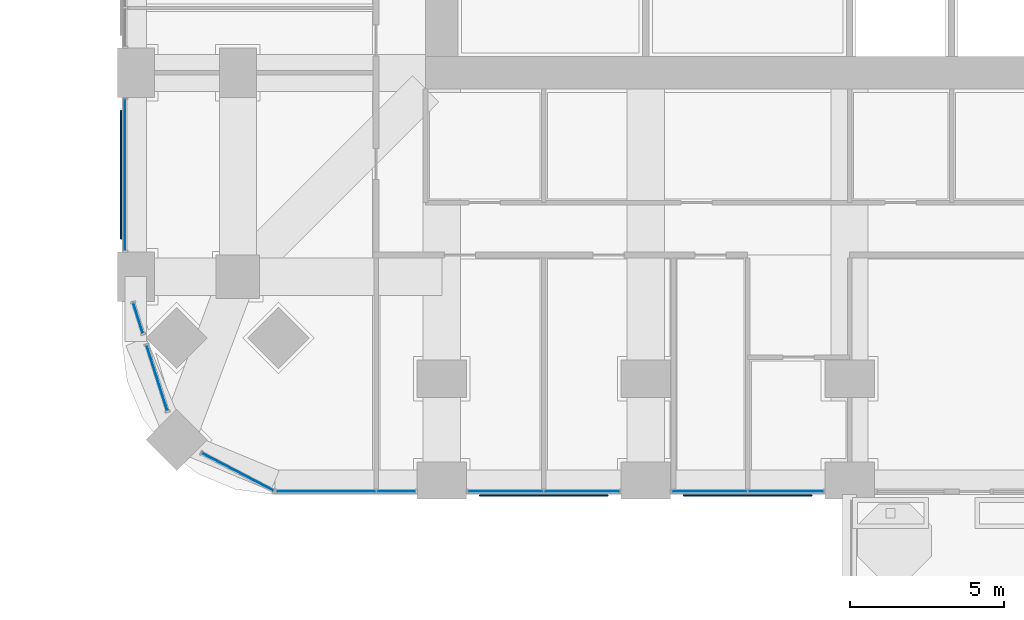
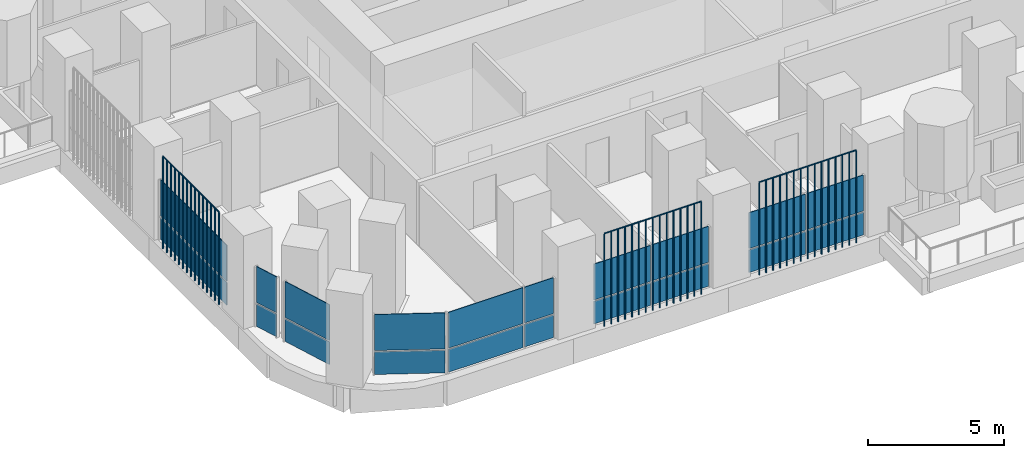
# One storey, part 9 of 21: 23 plates, 7 elements without a shape of their own.
"""IFC4 building model written with IfcOpenShell, lengths in metres."""

from ifc_helpers import new_model, si_unit, direction, frame, origin, origin_2d, place, context, subcontext, project, spatial, polyline, rectangle, outline, extrude, material, layer, layer_set, type_object, element, aggregate, save


model = new_model("IFC4")

# Units and contexts
model_context = context("Model", 3, precision=1e-05, world=origin(), true_north=direction((0.0, 1.0)))
body_context = subcontext(model_context, "Body", "Model", "MODEL_VIEW")
ifc_project = project(units=[si_unit("LENGTHUNIT", "METRE"), si_unit("AREAUNIT", "SQUARE_METRE"), si_unit("VOLUMEUNIT", "CUBIC_METRE"), si_unit("PLANEANGLEUNIT", "RADIAN"), si_unit("MASSUNIT", "GRAM", prefix="KILO")], contexts=[model_context])

# Site, building, storey
site_placement = place(None, origin())
site = spatial("IfcSite", under=ifc_project, at=site_placement, CompositionType="ELEMENT")
building_placement = place(site_placement, origin())
building = spatial("IfcBuilding", under=site, at=building_placement, Name="Cobogo Forest Laboratory Tower", CompositionType="ELEMENT")
storey_placement = place(building_placement, frame((0.0, 0.0, 86.39990234375)))
storey = spatial("IfcBuildingStorey", under=building, at=storey_placement, Name="L19", CompositionType="ELEMENT", Elevation=86.39990234375)

# Curtain wall, plates
ifc_material_1 = material(Name="Aluminium curtain wall", Category="aluminium")
curtain_wall_type = type_object("IfcCurtainWallType", Name="CW-1 unitised curtain wall, clear glazing, laboratory floors zones A and B", PredefinedType="USERDEFINED", material=ifc_material_1)
curtain_wall_1_placement = place(storey_placement, origin())
curtain_wall_1 = element("IfcCurtainWall", 1, at=curtain_wall_1_placement, inside=storey, type_object=curtain_wall_type, Name="Curtain wall 01 L19", ObjectType="UNITISED CURTAIN WALL", PredefinedType="USERDEFINED")
ifc_material_2 = material(Name="Clear insulated glass", Category="glass")
ifc_layer = layer(ifc_material_2, 0.028076171875)
ifc_layer_set = layer_set([ifc_layer], Name="GP-1 clear insulated glass unit 28")
plate_type_1 = type_object("IfcPlateType", Name="GP-1 clear insulated glass unit 28", PredefinedType="CURTAIN_PANEL", material=ifc_layer_set)
plate_1_placement = place(storey_placement, frame((9.452392578125, -0.35009765625, 0.0), z_axis=(0.0, 0.0, 1.0), x_axis=(1.0, 0.0, 0.0)))
plate_1 = element("IfcPlate", 2, at=plate_1_placement, type_object=plate_type_1, Name="CW-1 panel 1.1", PredefinedType="CURTAIN_PANEL", context=body_context, shape_type="SweptSolid", body=[
    extrude(rectangle(XDim=3.18505859375, YDim=0.028076171875, at=origin_2d()), origin(), (0.0, 0.0, 1.0), 1.02001953125),
])
plate_2_placement = place(storey_placement, frame((9.452392578125, -0.35009765625, 1.080078125), z_axis=(0.0, 0.0, 1.0), x_axis=(1.0, 0.0, 0.0)))
plate_2 = element("IfcPlate", 3, at=plate_2_placement, type_object=plate_type_1, Name="CW-1 panel 1.2", PredefinedType="CURTAIN_PANEL", context=body_context, shape_type="SweptSolid", body=[
    extrude(rectangle(XDim=3.18505859375, YDim=0.028076171875, at=origin_2d()), origin(), (0.0, 0.0, 1.0), 1.6201171875),
])
plate_3_placement = place(storey_placement, frame((11.722412109375, -0.35009765625, 0.0), z_axis=(0.0, 0.0, 1.0), x_axis=(1.0, 0.0, 0.0)))
plate_3 = element("IfcPlate", 4, at=plate_3_placement, type_object=plate_type_1, Name="CW-1 panel 2.1", PredefinedType="CURTAIN_PANEL", context=body_context, shape_type="SweptSolid", body=[
    extrude(rectangle(XDim=1.235107421875, YDim=0.028076171875, at=origin_2d()), origin(), (0.0, 0.0, 1.0), 1.02001953125),
])
plate_4_placement = place(storey_placement, frame((11.722412109375, -0.35009765625, 1.080078125), z_axis=(0.0, 0.0, 1.0), x_axis=(1.0, 0.0, 0.0)))
plate_4 = element("IfcPlate", 5, at=plate_4_placement, type_object=plate_type_1, Name="CW-1 panel 2.2", PredefinedType="CURTAIN_PANEL", context=body_context, shape_type="SweptSolid", body=[
    extrude(rectangle(XDim=1.235107421875, YDim=0.028076171875, at=origin_2d()), origin(), (0.0, 0.0, 1.0), 1.6201171875),
])
aggregate(curtain_wall_1, [plate_1, plate_2, plate_3, plate_4])

curtain_wall_2_placement = place(storey_placement, origin())
curtain_wall_2 = element("IfcCurtainWall", 6, at=curtain_wall_2_placement, inside=storey, type_object=curtain_wall_type, Name="Curtain wall 02 L19", ObjectType="UNITISED CURTAIN WALL", PredefinedType="USERDEFINED")
plate_5_placement = place(storey_placement, frame((15.264892578125, -0.35009765625, 0.0), z_axis=(0.0, 0.0, 1.0), x_axis=(1.0, 0.0, 0.0)))
plate_5 = element("IfcPlate", 7, at=plate_5_placement, type_object=plate_type_1, Name="CW-1 panel 1.1", PredefinedType="CURTAIN_PANEL", context=body_context, shape_type="SweptSolid", body=[
    extrude(rectangle(XDim=2.409912109375, YDim=0.028076171875, at=origin_2d()), origin(), (0.0, 0.0, 1.0), 1.02001953125),
])
plate_6_placement = place(storey_placement, frame((15.264892578125, -0.35009765625, 1.080078125), z_axis=(0.0, 0.0, 1.0), x_axis=(1.0, 0.0, 0.0)))
plate_6 = element("IfcPlate", 8, at=plate_6_placement, type_object=plate_type_1, Name="CW-1 panel 1.2", PredefinedType="CURTAIN_PANEL", context=body_context, shape_type="SweptSolid", body=[
    extrude(rectangle(XDim=2.409912109375, YDim=0.028076171875, at=origin_2d()), origin(), (0.0, 0.0, 1.0), 1.6201171875),
])
plate_7_placement = place(storey_placement, frame((17.735107421875, -0.35009765625, 0.0), z_axis=(0.0, 0.0, 1.0), x_axis=(1.0, 0.0, 0.0)))
plate_7 = element("IfcPlate", 9, at=plate_7_placement, type_object=plate_type_1, Name="CW-1 panel 2.1", PredefinedType="CURTAIN_PANEL", context=body_context, shape_type="SweptSolid", body=[
    extrude(rectangle(XDim=2.409912109375, YDim=0.028076171875, at=origin_2d()), origin(), (0.0, 0.0, 1.0), 1.02001953125),
])
plate_8_placement = place(storey_placement, frame((17.735107421875, -0.35009765625, 1.080078125), z_axis=(0.0, 0.0, 1.0), x_axis=(1.0, 0.0, 0.0)))
plate_8 = element("IfcPlate", 10, at=plate_8_placement, type_object=plate_type_1, Name="CW-1 panel 2.2", PredefinedType="CURTAIN_PANEL", context=body_context, shape_type="SweptSolid", body=[
    extrude(rectangle(XDim=2.409912109375, YDim=0.028076171875, at=origin_2d()), origin(), (0.0, 0.0, 1.0), 1.6201171875),
])
aggregate(curtain_wall_2, [plate_5, plate_6, plate_7, plate_8])

curtain_wall_3_placement = place(storey_placement, origin())
curtain_wall_3 = element("IfcCurtainWall", 11, at=curtain_wall_3_placement, inside=storey, type_object=curtain_wall_type, Name="Curtain wall 03 L19", ObjectType="UNITISED CURTAIN WALL", PredefinedType="USERDEFINED")
plate_9_placement = place(storey_placement, frame((21.864990234375, -0.35009765625, 0.0), z_axis=(0.0, 0.0, 1.0), x_axis=(1.0, 0.0, 0.0)))
plate_9 = element("IfcPlate", 12, at=plate_9_placement, type_object=plate_type_1, Name="CW-1 panel 1.1", PredefinedType="CURTAIN_PANEL", context=body_context, shape_type="SweptSolid", body=[
    extrude(rectangle(XDim=2.409912109375, YDim=0.028076171875, at=origin_2d()), origin(), (0.0, 0.0, 1.0), 1.02001953125),
])
plate_10_placement = place(storey_placement, frame((21.864990234375, -0.35009765625, 1.080078125), z_axis=(0.0, 0.0, 1.0), x_axis=(1.0, 0.0, 0.0)))
plate_10 = element("IfcPlate", 13, at=plate_10_placement, type_object=plate_type_1, Name="CW-1 panel 1.2", PredefinedType="CURTAIN_PANEL", context=body_context, shape_type="SweptSolid", body=[
    extrude(rectangle(XDim=2.409912109375, YDim=0.028076171875, at=origin_2d()), origin(), (0.0, 0.0, 1.0), 1.6201171875),
])
plate_11_placement = place(storey_placement, frame((24.3349609375, -0.35009765625, 0.0), z_axis=(0.0, 0.0, 1.0), x_axis=(1.0, 0.0, 0.0)))
plate_11 = element("IfcPlate", 14, at=plate_11_placement, type_object=plate_type_1, Name="CW-1 panel 2.1", PredefinedType="CURTAIN_PANEL", context=body_context, shape_type="SweptSolid", body=[
    extrude(rectangle(XDim=2.409912109375, YDim=0.028076171875, at=origin_2d()), origin(), (0.0, 0.0, 1.0), 1.02001953125),
])
plate_12_placement = place(storey_placement, frame((24.3349609375, -0.35009765625, 1.080078125), z_axis=(0.0, 0.0, 1.0), x_axis=(1.0, 0.0, 0.0)))
plate_12 = element("IfcPlate", 15, at=plate_12_placement, type_object=plate_type_1, Name="CW-1 panel 2.2", PredefinedType="CURTAIN_PANEL", context=body_context, shape_type="SweptSolid", body=[
    extrude(rectangle(XDim=2.409912109375, YDim=0.028076171875, at=origin_2d()), origin(), (0.0, 0.0, 1.0), 1.6201171875),
])
aggregate(curtain_wall_3, [plate_9, plate_10, plate_11, plate_12])

curtain_wall_4_placement = place(storey_placement, origin())
curtain_wall_4 = element("IfcCurtainWall", 16, at=curtain_wall_4_placement, inside=storey, type_object=curtain_wall_type, Name="Curtain wall 31 L19", ObjectType="UNITISED CURTAIN WALL", PredefinedType="USERDEFINED")
plate_13_placement = place(storey_placement, frame((2.949951171875, 9.89990234375, 0.0), z_axis=(0.0, 0.0, 1.0), x_axis=(0.0, -1.0, 0.0)))
plate_13 = element("IfcPlate", 17, at=plate_13_placement, type_object=plate_type_1, Name="CW-1 panel 1.1", PredefinedType="CURTAIN_PANEL", context=body_context, shape_type="SweptSolid", body=[
    extrude(rectangle(XDim=4.8798828125, YDim=0.028076171875, at=origin_2d()), origin(), (0.0, 0.0, 1.0), 1.02001953125),
])
plate_14_placement = place(storey_placement, frame((2.949951171875, 9.89990234375, 1.080078125), z_axis=(0.0, 0.0, 1.0), x_axis=(0.0, -1.0, 0.0)))
plate_14 = element("IfcPlate", 18, at=plate_14_placement, type_object=plate_type_1, Name="CW-1 panel 1.2", PredefinedType="CURTAIN_PANEL", context=body_context, shape_type="SweptSolid", body=[
    extrude(rectangle(XDim=4.8798828125, YDim=0.028076171875, at=origin_2d()), origin(), (0.0, 0.0, 1.0), 1.6201171875),
])
aggregate(curtain_wall_4, [plate_13, plate_14])

curtain_wall_5_placement = place(storey_placement, origin())
curtain_wall_5 = element("IfcCurtainWall", 19, at=curtain_wall_5_placement, inside=storey, type_object=curtain_wall_type, Name="Curtain wall 32 L19", ObjectType="UNITISED CURTAIN WALL", PredefinedType="USERDEFINED")
plate_15_placement = place(storey_placement, frame((3.37353515625, 5.259033203125, 0.0), z_axis=(0.0, 0.0, 1.0), x_axis=(0.3011355018, -0.953581359694, 0.0)))
plate_15 = element("IfcPlate", 20, at=plate_15_placement, type_object=plate_type_1, Name="CW-1 panel 1.1", PredefinedType="CURTAIN_PANEL", context=body_context, shape_type="SweptSolid", body=[
    extrude(rectangle(XDim=1.0146484375, YDim=0.028076171875, at=origin_2d()), origin(), (0.0, 0.0, 1.0), 1.02001953125),
])
plate_16_placement = place(storey_placement, frame((3.37353515625, 5.259033203125, 1.080078125), z_axis=(0.0, 0.0, 1.0), x_axis=(0.3011355018, -0.953581359694, 0.0)))
plate_16 = element("IfcPlate", 21, at=plate_16_placement, type_object=plate_type_1, Name="CW-1 panel 1.2", PredefinedType="CURTAIN_PANEL", context=body_context, shape_type="SweptSolid", body=[
    extrude(rectangle(XDim=1.0146484375, YDim=0.028076171875, at=origin_2d()), origin(), (0.0, 0.0, 1.0), 1.6201171875),
])
aggregate(curtain_wall_5, [plate_15, plate_16])

curtain_wall_6_placement = place(storey_placement, origin())
curtain_wall_6 = element("IfcCurtainWall", 22, at=curtain_wall_6_placement, inside=storey, type_object=curtain_wall_type, Name="Curtain wall 33 L19", ObjectType="UNITISED CURTAIN WALL", PredefinedType="USERDEFINED")
plate_17_placement = place(storey_placement, frame((3.986572265625, 3.31787109375, 0.0), z_axis=(0.0, 0.0, 1.0), x_axis=(0.301135343623, -0.953581409645, 0.0)))
plate_17 = element("IfcPlate", 23, at=plate_17_placement, type_object=plate_type_1, Name="CW-1 panel 1.1", PredefinedType="CURTAIN_PANEL", context=body_context, shape_type="SweptSolid", body=[
    extrude(rectangle(XDim=2.203369140625, YDim=0.028076171875, at=origin_2d()), origin(), (0.0, 0.0, 1.0), 1.02001953125),
])
plate_18_placement = place(storey_placement, frame((3.986572265625, 3.31787109375, 1.080078125), z_axis=(0.0, 0.0, 1.0), x_axis=(0.301135343623, -0.953581409645, 0.0)))
plate_18 = element("IfcPlate", 24, at=plate_18_placement, type_object=plate_type_1, Name="CW-1 panel 1.2", PredefinedType="CURTAIN_PANEL", context=body_context, shape_type="SweptSolid", body=[
    extrude(rectangle(XDim=2.203369140625, YDim=0.028076171875, at=origin_2d()), origin(), (0.0, 0.0, 1.0), 1.6201171875),
])
aggregate(curtain_wall_6, [plate_17, plate_18])

curtain_wall_7_placement = place(storey_placement, origin())
curtain_wall_7 = element("IfcCurtainWall", 25, at=curtain_wall_7_placement, inside=storey, type_object=curtain_wall_type, Name="Curtain wall 34 L19", ObjectType="UNITISED CURTAIN WALL", PredefinedType="USERDEFINED")
plate_19_placement = place(storey_placement, frame((6.593994140625, 0.2822265625, 0.0), z_axis=(0.0, 0.0, 1.0), x_axis=(0.885686540666, -0.464283697413, 0.0)))
plate_19 = element("IfcPlate", 26, at=plate_19_placement, type_object=plate_type_1, Name="CW-1 panel 1.1", PredefinedType="CURTAIN_PANEL", context=body_context, shape_type="SweptSolid", body=[
    extrude(rectangle(XDim=2.603271484375, YDim=0.028076171875, at=origin_2d()), origin(), (0.0, 0.0, 1.0), 1.02001953125),
])
plate_20_placement = place(storey_placement, frame((6.593994140625, 0.2822265625, 1.080078125), z_axis=(0.0, 0.0, 1.0), x_axis=(0.885686540666, -0.464283697413, 0.0)))
plate_20 = element("IfcPlate", 27, at=plate_20_placement, type_object=plate_type_1, Name="CW-1 panel 1.2", PredefinedType="CURTAIN_PANEL", context=body_context, shape_type="SweptSolid", body=[
    extrude(rectangle(XDim=2.603271484375, YDim=0.028076171875, at=origin_2d()), origin(), (0.0, 0.0, 1.0), 1.6201171875),
])
aggregate(curtain_wall_7, [plate_19, plate_20])

# Plates
ifc_material_3 = material(Name="Terracotta", Category="masonry")
plate_type_2 = type_object("IfcPlateType", Name="TB1 terracotta baguette screen", PredefinedType="USERDEFINED", material=ifc_material_3)
plate_21_placement = place(storey_placement, frame((14.43115234375, -0.477783203125, -0.14990234375)))
element("IfcPlate", 28, at=plate_21_placement, inside=storey, type_object=plate_type_2, Name="Baguette screen S1 L19", ObjectType="BAGUETTE SCREEN", PredefinedType="USERDEFINED", context=body_context, shape_type="SweptSolid", body=[
    extrude(outline(polyline([(0.02880859375, 0.011962890625), (0.011962890625, 0.02880859375), (-0.011962890625, 0.02880859375), (-0.02880859375, 0.011962890625), (-0.02880859375, -0.011962890625), (-0.011962890625, -0.02880859375), (0.011962890625, -0.02880859375), (0.02880859375, -0.011962890625), (0.02880859375, 0.011962890625)])), frame((0.0, 0.0, 4.168701171875), z_axis=(1.0, 0.0, 0.0), x_axis=(0.0, 1.0, 0.0)), (0.0, 0.0, 1.0), 4.1376953125),
    extrude(outline(polyline([(0.02880859375, 0.011962890625), (0.011962890625, 0.02880859375), (-0.011962890625, 0.02880859375), (-0.02880859375, 0.011962890625), (-0.02880859375, -0.011962890625), (-0.011962890625, -0.02880859375), (0.011962890625, -0.02880859375), (0.02880859375, -0.011962890625), (0.02880859375, 0.011962890625)])), origin(), (0.0, 0.0, 1.0), 4.137451171875),
    extrude(outline(polyline([(0.02880859375, 0.011962890625), (0.011962890625, 0.02880859375), (-0.011962890625, 0.02880859375), (-0.02880859375, 0.011962890625), (-0.02880859375, -0.011962890625), (-0.011962890625, -0.02880859375), (0.011962890625, -0.02880859375), (0.02880859375, -0.011962890625), (0.02880859375, 0.011962890625)])), frame((0.295654296875, 0.0, 0.0)), (0.0, 0.0, 1.0), 4.137451171875),
    extrude(outline(polyline([(0.02880859375, 0.011962890625), (0.011962890625, 0.02880859375), (-0.011962890625, 0.02880859375), (-0.02880859375, 0.011962890625), (-0.02880859375, -0.011962890625), (-0.011962890625, -0.02880859375), (0.011962890625, -0.02880859375), (0.02880859375, -0.011962890625), (0.02880859375, 0.011962890625)])), frame((0.591064453125, 0.0, 0.0)), (0.0, 0.0, 1.0), 4.137451171875),
    extrude(outline(polyline([(0.02880859375, 0.011962890625), (0.011962890625, 0.02880859375), (-0.011962890625, 0.02880859375), (-0.02880859375, 0.011962890625), (-0.02880859375, -0.011962890625), (-0.011962890625, -0.02880859375), (0.011962890625, -0.02880859375), (0.02880859375, -0.011962890625), (0.02880859375, 0.011962890625)])), frame((0.88671875, 0.0, 0.0)), (0.0, 0.0, 1.0), 4.137451171875),
    extrude(outline(polyline([(0.02880859375, 0.011962890625), (0.011962890625, 0.02880859375), (-0.011962890625, 0.02880859375), (-0.02880859375, 0.011962890625), (-0.02880859375, -0.011962890625), (-0.011962890625, -0.02880859375), (0.011962890625, -0.02880859375), (0.02880859375, -0.011962890625), (0.02880859375, 0.011962890625)])), frame((1.18212890625, 0.0, 0.0)), (0.0, 0.0, 1.0), 4.137451171875),
    extrude(outline(polyline([(0.02880859375, 0.011962890625), (0.011962890625, 0.02880859375), (-0.011962890625, 0.02880859375), (-0.02880859375, 0.011962890625), (-0.02880859375, -0.011962890625), (-0.011962890625, -0.02880859375), (0.011962890625, -0.02880859375), (0.02880859375, -0.011962890625), (0.02880859375, 0.011962890625)])), frame((1.477783203125, 0.0, 0.0)), (0.0, 0.0, 1.0), 4.137451171875),
    extrude(outline(polyline([(0.02880859375, 0.011962890625), (0.011962890625, 0.02880859375), (-0.011962890625, 0.02880859375), (-0.02880859375, 0.011962890625), (-0.02880859375, -0.011962890625), (-0.011962890625, -0.02880859375), (0.011962890625, -0.02880859375), (0.02880859375, -0.011962890625), (0.02880859375, 0.011962890625)])), frame((1.773193359375, 0.0, 0.0)), (0.0, 0.0, 1.0), 4.137451171875),
    extrude(outline(polyline([(0.02880859375, 0.011962890625), (0.011962890625, 0.02880859375), (-0.011962890625, 0.02880859375), (-0.02880859375, 0.011962890625), (-0.02880859375, -0.011962890625), (-0.011962890625, -0.02880859375), (0.011962890625, -0.02880859375), (0.02880859375, -0.011962890625), (0.02880859375, 0.011962890625)])), frame((2.06884765625, 0.0, 0.0)), (0.0, 0.0, 1.0), 4.137451171875),
    extrude(outline(polyline([(0.02880859375, 0.011962890625), (0.011962890625, 0.02880859375), (-0.011962890625, 0.02880859375), (-0.02880859375, 0.011962890625), (-0.02880859375, -0.011962890625), (-0.011962890625, -0.02880859375), (0.011962890625, -0.02880859375), (0.02880859375, -0.011962890625), (0.02880859375, 0.011962890625)])), frame((2.364501953125, 0.0, 0.0)), (0.0, 0.0, 1.0), 4.137451171875),
    extrude(outline(polyline([(0.02880859375, 0.011962890625), (0.011962890625, 0.02880859375), (-0.011962890625, 0.02880859375), (-0.02880859375, 0.011962890625), (-0.02880859375, -0.011962890625), (-0.011962890625, -0.02880859375), (0.011962890625, -0.02880859375), (0.02880859375, -0.011962890625), (0.02880859375, 0.011962890625)])), frame((2.659912109375, 0.0, 0.0)), (0.0, 0.0, 1.0), 4.137451171875),
    extrude(outline(polyline([(0.02880859375, 0.011962890625), (0.011962890625, 0.02880859375), (-0.011962890625, 0.02880859375), (-0.02880859375, 0.011962890625), (-0.02880859375, -0.011962890625), (-0.011962890625, -0.02880859375), (0.011962890625, -0.02880859375), (0.02880859375, -0.011962890625), (0.02880859375, 0.011962890625)])), frame((2.95556640625, 0.0, 0.0)), (0.0, 0.0, 1.0), 4.137451171875),
    extrude(outline(polyline([(0.02880859375, 0.011962890625), (0.011962890625, 0.02880859375), (-0.011962890625, 0.02880859375), (-0.02880859375, 0.011962890625), (-0.02880859375, -0.011962890625), (-0.011962890625, -0.02880859375), (0.011962890625, -0.02880859375), (0.02880859375, -0.011962890625), (0.02880859375, 0.011962890625)])), frame((3.2509765625, 0.0, 0.0)), (0.0, 0.0, 1.0), 4.137451171875),
    extrude(outline(polyline([(0.02880859375, 0.011962890625), (0.011962890625, 0.02880859375), (-0.011962890625, 0.02880859375), (-0.02880859375, 0.011962890625), (-0.02880859375, -0.011962890625), (-0.011962890625, -0.02880859375), (0.011962890625, -0.02880859375), (0.02880859375, -0.011962890625), (0.02880859375, 0.011962890625)])), frame((3.546630859375, 0.0, 0.0)), (0.0, 0.0, 1.0), 4.137451171875),
    extrude(outline(polyline([(0.02880859375, 0.011962890625), (0.011962890625, 0.02880859375), (-0.011962890625, 0.02880859375), (-0.02880859375, 0.011962890625), (-0.02880859375, -0.011962890625), (-0.011962890625, -0.02880859375), (0.011962890625, -0.02880859375), (0.02880859375, -0.011962890625), (0.02880859375, 0.011962890625)])), frame((3.842041015625, 0.0, 0.0)), (0.0, 0.0, 1.0), 4.137451171875),
    extrude(outline(polyline([(0.02880859375, 0.011962890625), (0.011962890625, 0.02880859375), (-0.011962890625, 0.02880859375), (-0.02880859375, 0.011962890625), (-0.02880859375, -0.011962890625), (-0.011962890625, -0.02880859375), (0.011962890625, -0.02880859375), (0.02880859375, -0.011962890625), (0.02880859375, 0.011962890625)])), frame((4.1376953125, 0.0, 0.0)), (0.0, 0.0, 1.0), 4.137451171875),
])
plate_22_placement = place(storey_placement, frame((21.03125, -0.477783203125, -0.14990234375)))
element("IfcPlate", 29, at=plate_22_placement, inside=storey, type_object=plate_type_2, Name="Baguette screen S2 L19", ObjectType="BAGUETTE SCREEN", PredefinedType="USERDEFINED", context=body_context, shape_type="SweptSolid", body=[
    extrude(outline(polyline([(0.02880859375, 0.011962890625), (0.011962890625, 0.02880859375), (-0.011962890625, 0.02880859375), (-0.02880859375, 0.011962890625), (-0.02880859375, -0.011962890625), (-0.011962890625, -0.02880859375), (0.011962890625, -0.02880859375), (0.02880859375, -0.011962890625), (0.02880859375, 0.011962890625)])), frame((0.0, 0.0, 4.168701171875), z_axis=(1.0, 0.0, 0.0), x_axis=(0.0, 1.0, 0.0)), (0.0, 0.0, 1.0), 4.137451171875),
    extrude(outline(polyline([(0.02880859375, 0.011962890625), (0.011962890625, 0.02880859375), (-0.011962890625, 0.02880859375), (-0.02880859375, 0.011962890625), (-0.02880859375, -0.011962890625), (-0.011962890625, -0.02880859375), (0.011962890625, -0.02880859375), (0.02880859375, -0.011962890625), (0.02880859375, 0.011962890625)])), origin(), (0.0, 0.0, 1.0), 4.137451171875),
    extrude(outline(polyline([(0.02880859375, 0.011962890625), (0.011962890625, 0.02880859375), (-0.011962890625, 0.02880859375), (-0.02880859375, 0.011962890625), (-0.02880859375, -0.011962890625), (-0.011962890625, -0.02880859375), (0.011962890625, -0.02880859375), (0.02880859375, -0.011962890625), (0.02880859375, 0.011962890625)])), frame((0.29541015625, 0.0, 0.0)), (0.0, 0.0, 1.0), 4.137451171875),
    extrude(outline(polyline([(0.02880859375, 0.011962890625), (0.011962890625, 0.02880859375), (-0.011962890625, 0.02880859375), (-0.02880859375, 0.011962890625), (-0.02880859375, -0.011962890625), (-0.011962890625, -0.02880859375), (0.011962890625, -0.02880859375), (0.02880859375, -0.011962890625), (0.02880859375, 0.011962890625)])), frame((0.591064453125, 0.0, 0.0)), (0.0, 0.0, 1.0), 4.137451171875),
    extrude(outline(polyline([(0.02880859375, 0.011962890625), (0.011962890625, 0.02880859375), (-0.011962890625, 0.02880859375), (-0.02880859375, 0.011962890625), (-0.02880859375, -0.011962890625), (-0.011962890625, -0.02880859375), (0.011962890625, -0.02880859375), (0.02880859375, -0.011962890625), (0.02880859375, 0.011962890625)])), frame((0.88671875, 0.0, 0.0)), (0.0, 0.0, 1.0), 4.137451171875),
    extrude(outline(polyline([(0.02880859375, 0.011962890625), (0.011962890625, 0.02880859375), (-0.011962890625, 0.02880859375), (-0.02880859375, 0.011962890625), (-0.02880859375, -0.011962890625), (-0.011962890625, -0.02880859375), (0.011962890625, -0.02880859375), (0.02880859375, -0.011962890625), (0.02880859375, 0.011962890625)])), frame((1.18212890625, 0.0, 0.0)), (0.0, 0.0, 1.0), 4.137451171875),
    extrude(outline(polyline([(0.02880859375, 0.011962890625), (0.011962890625, 0.02880859375), (-0.011962890625, 0.02880859375), (-0.02880859375, 0.011962890625), (-0.02880859375, -0.011962890625), (-0.011962890625, -0.02880859375), (0.011962890625, -0.02880859375), (0.02880859375, -0.011962890625), (0.02880859375, 0.011962890625)])), frame((1.4775390625, 0.0, 0.0)), (0.0, 0.0, 1.0), 4.137451171875),
    extrude(outline(polyline([(0.02880859375, 0.011962890625), (0.011962890625, 0.02880859375), (-0.011962890625, 0.02880859375), (-0.02880859375, 0.011962890625), (-0.02880859375, -0.011962890625), (-0.011962890625, -0.02880859375), (0.011962890625, -0.02880859375), (0.02880859375, -0.011962890625), (0.02880859375, 0.011962890625)])), frame((1.773193359375, 0.0, 0.0)), (0.0, 0.0, 1.0), 4.137451171875),
    extrude(outline(polyline([(0.02880859375, 0.011962890625), (0.011962890625, 0.02880859375), (-0.011962890625, 0.02880859375), (-0.02880859375, 0.011962890625), (-0.02880859375, -0.011962890625), (-0.011962890625, -0.02880859375), (0.011962890625, -0.02880859375), (0.02880859375, -0.011962890625), (0.02880859375, 0.011962890625)])), frame((2.06884765625, 0.0, 0.0)), (0.0, 0.0, 1.0), 4.137451171875),
    extrude(outline(polyline([(0.02880859375, 0.011962890625), (0.011962890625, 0.02880859375), (-0.011962890625, 0.02880859375), (-0.02880859375, 0.011962890625), (-0.02880859375, -0.011962890625), (-0.011962890625, -0.02880859375), (0.011962890625, -0.02880859375), (0.02880859375, -0.011962890625), (0.02880859375, 0.011962890625)])), frame((2.3642578125, 0.0, 0.0)), (0.0, 0.0, 1.0), 4.137451171875),
    extrude(outline(polyline([(0.02880859375, 0.011962890625), (0.011962890625, 0.02880859375), (-0.011962890625, 0.02880859375), (-0.02880859375, 0.011962890625), (-0.02880859375, -0.011962890625), (-0.011962890625, -0.02880859375), (0.011962890625, -0.02880859375), (0.02880859375, -0.011962890625), (0.02880859375, 0.011962890625)])), frame((2.65966796875, 0.0, 0.0)), (0.0, 0.0, 1.0), 4.137451171875),
    extrude(outline(polyline([(0.02880859375, 0.011962890625), (0.011962890625, 0.02880859375), (-0.011962890625, 0.02880859375), (-0.02880859375, 0.011962890625), (-0.02880859375, -0.011962890625), (-0.011962890625, -0.02880859375), (0.011962890625, -0.02880859375), (0.02880859375, -0.011962890625), (0.02880859375, 0.011962890625)])), frame((2.955322265625, 0.0, 0.0)), (0.0, 0.0, 1.0), 4.137451171875),
    extrude(outline(polyline([(0.02880859375, 0.011962890625), (0.011962890625, 0.02880859375), (-0.011962890625, 0.02880859375), (-0.02880859375, 0.011962890625), (-0.02880859375, -0.011962890625), (-0.011962890625, -0.02880859375), (0.011962890625, -0.02880859375), (0.02880859375, -0.011962890625), (0.02880859375, 0.011962890625)])), frame((3.2509765625, 0.0, 0.0)), (0.0, 0.0, 1.0), 4.137451171875),
    extrude(outline(polyline([(0.02880859375, 0.011962890625), (0.011962890625, 0.02880859375), (-0.011962890625, 0.02880859375), (-0.02880859375, 0.011962890625), (-0.02880859375, -0.011962890625), (-0.011962890625, -0.02880859375), (0.011962890625, -0.02880859375), (0.02880859375, -0.011962890625), (0.02880859375, 0.011962890625)])), frame((3.54638671875, 0.0, 0.0)), (0.0, 0.0, 1.0), 4.137451171875),
    extrude(outline(polyline([(0.02880859375, 0.011962890625), (0.011962890625, 0.02880859375), (-0.011962890625, 0.02880859375), (-0.02880859375, 0.011962890625), (-0.02880859375, -0.011962890625), (-0.011962890625, -0.02880859375), (0.011962890625, -0.02880859375), (0.02880859375, -0.011962890625), (0.02880859375, 0.011962890625)])), frame((3.841796875, 0.0, 0.0)), (0.0, 0.0, 1.0), 4.137451171875),
    extrude(outline(polyline([(0.02880859375, 0.011962890625), (0.011962890625, 0.02880859375), (-0.011962890625, 0.02880859375), (-0.02880859375, 0.011962890625), (-0.02880859375, -0.011962890625), (-0.011962890625, -0.02880859375), (0.011962890625, -0.02880859375), (0.02880859375, -0.011962890625), (0.02880859375, 0.011962890625)])), frame((4.137451171875, 0.0, 0.0)), (0.0, 0.0, 1.0), 4.137451171875),
])
plate_23_placement = place(storey_placement, frame((2.822021484375, 7.831298828125, -0.14990234375)))
element("IfcPlate", 30, at=plate_23_placement, inside=storey, type_object=plate_type_2, Name="Baguette screen W1 L19", ObjectType="BAGUETTE SCREEN", PredefinedType="USERDEFINED", context=body_context, shape_type="SweptSolid", body=[
    extrude(outline(polyline([(0.02880859375, 0.011962890625), (0.011962890625, 0.02880859375), (-0.011962890625, 0.02880859375), (-0.02880859375, 0.011962890625), (-0.02880859375, -0.011962890625), (-0.011962890625, -0.02880859375), (0.011962890625, -0.02880859375), (0.02880859375, -0.011962890625), (0.02880859375, 0.011962890625)])), frame((0.0, 0.0, 4.168701171875), z_axis=(0.0, 1.0, 0.0), x_axis=(-1.0, 0.0, 0.0)), (0.0, 0.0, 1.0), 4.137451171875),
    extrude(outline(polyline([(0.02880859375, 0.011962890625), (0.011962890625, 0.02880859375), (-0.011962890625, 0.02880859375), (-0.02880859375, 0.011962890625), (-0.02880859375, -0.011962890625), (-0.011962890625, -0.02880859375), (0.011962890625, -0.02880859375), (0.02880859375, -0.011962890625), (0.02880859375, 0.011962890625)])), origin(), (0.0, 0.0, 1.0), 4.137451171875),
    extrude(outline(polyline([(0.02880859375, 0.011962890625), (0.011962890625, 0.02880859375), (-0.011962890625, 0.02880859375), (-0.02880859375, 0.011962890625), (-0.02880859375, -0.011962890625), (-0.011962890625, -0.02880859375), (0.011962890625, -0.02880859375), (0.02880859375, -0.011962890625), (0.02880859375, 0.011962890625)])), frame((0.0, 0.29541015625, 0.0)), (0.0, 0.0, 1.0), 4.137451171875),
    extrude(outline(polyline([(0.02880859375, 0.011962890625), (0.011962890625, 0.02880859375), (-0.011962890625, 0.02880859375), (-0.02880859375, 0.011962890625), (-0.02880859375, -0.011962890625), (-0.011962890625, -0.02880859375), (0.011962890625, -0.02880859375), (0.02880859375, -0.011962890625), (0.02880859375, 0.011962890625)])), frame((0.0, 0.591064453125, 0.0)), (0.0, 0.0, 1.0), 4.137451171875),
    extrude(outline(polyline([(0.02880859375, 0.011962890625), (0.011962890625, 0.02880859375), (-0.011962890625, 0.02880859375), (-0.02880859375, 0.011962890625), (-0.02880859375, -0.011962890625), (-0.011962890625, -0.02880859375), (0.011962890625, -0.02880859375), (0.02880859375, -0.011962890625), (0.02880859375, 0.011962890625)])), frame((0.0, 0.88671875, 0.0)), (0.0, 0.0, 1.0), 4.137451171875),
    extrude(outline(polyline([(0.02880859375, 0.011962890625), (0.011962890625, 0.02880859375), (-0.011962890625, 0.02880859375), (-0.02880859375, 0.011962890625), (-0.02880859375, -0.011962890625), (-0.011962890625, -0.02880859375), (0.011962890625, -0.02880859375), (0.02880859375, -0.011962890625), (0.02880859375, 0.011962890625)])), frame((0.0, 1.18212890625, 0.0)), (0.0, 0.0, 1.0), 4.137451171875),
    extrude(outline(polyline([(0.02880859375, 0.011962890625), (0.011962890625, 0.02880859375), (-0.011962890625, 0.02880859375), (-0.02880859375, 0.011962890625), (-0.02880859375, -0.011962890625), (-0.011962890625, -0.02880859375), (0.011962890625, -0.02880859375), (0.02880859375, -0.011962890625), (0.02880859375, 0.011962890625)])), frame((0.0, 1.4775390625, 0.0)), (0.0, 0.0, 1.0), 4.137451171875),
    extrude(outline(polyline([(0.02880859375, 0.011962890625), (0.011962890625, 0.02880859375), (-0.011962890625, 0.02880859375), (-0.02880859375, 0.011962890625), (-0.02880859375, -0.011962890625), (-0.011962890625, -0.02880859375), (0.011962890625, -0.02880859375), (0.02880859375, -0.011962890625), (0.02880859375, 0.011962890625)])), frame((0.0, 1.773193359375, 0.0)), (0.0, 0.0, 1.0), 4.137451171875),
    extrude(outline(polyline([(0.02880859375, 0.011962890625), (0.011962890625, 0.02880859375), (-0.011962890625, 0.02880859375), (-0.02880859375, 0.011962890625), (-0.02880859375, -0.011962890625), (-0.011962890625, -0.02880859375), (0.011962890625, -0.02880859375), (0.02880859375, -0.011962890625), (0.02880859375, 0.011962890625)])), frame((0.0, 2.06884765625, 0.0)), (0.0, 0.0, 1.0), 4.137451171875),
    extrude(outline(polyline([(0.02880859375, 0.011962890625), (0.011962890625, 0.02880859375), (-0.011962890625, 0.02880859375), (-0.02880859375, 0.011962890625), (-0.02880859375, -0.011962890625), (-0.011962890625, -0.02880859375), (0.011962890625, -0.02880859375), (0.02880859375, -0.011962890625), (0.02880859375, 0.011962890625)])), frame((0.0, 2.3642578125, 0.0)), (0.0, 0.0, 1.0), 4.137451171875),
    extrude(outline(polyline([(0.02880859375, 0.011962890625), (0.011962890625, 0.02880859375), (-0.011962890625, 0.02880859375), (-0.02880859375, 0.011962890625), (-0.02880859375, -0.011962890625), (-0.011962890625, -0.02880859375), (0.011962890625, -0.02880859375), (0.02880859375, -0.011962890625), (0.02880859375, 0.011962890625)])), frame((0.0, 2.65966796875, 0.0)), (0.0, 0.0, 1.0), 4.137451171875),
    extrude(outline(polyline([(0.02880859375, 0.011962890625), (0.011962890625, 0.02880859375), (-0.011962890625, 0.02880859375), (-0.02880859375, 0.011962890625), (-0.02880859375, -0.011962890625), (-0.011962890625, -0.02880859375), (0.011962890625, -0.02880859375), (0.02880859375, -0.011962890625), (0.02880859375, 0.011962890625)])), frame((0.0, 2.955322265625, 0.0)), (0.0, 0.0, 1.0), 4.137451171875),
    extrude(outline(polyline([(0.02880859375, 0.011962890625), (0.011962890625, 0.02880859375), (-0.011962890625, 0.02880859375), (-0.02880859375, 0.011962890625), (-0.02880859375, -0.011962890625), (-0.011962890625, -0.02880859375), (0.011962890625, -0.02880859375), (0.02880859375, -0.011962890625), (0.02880859375, 0.011962890625)])), frame((0.0, 3.2509765625, 0.0)), (0.0, 0.0, 1.0), 4.137451171875),
    extrude(outline(polyline([(0.02880859375, 0.011962890625), (0.011962890625, 0.02880859375), (-0.011962890625, 0.02880859375), (-0.02880859375, 0.011962890625), (-0.02880859375, -0.011962890625), (-0.011962890625, -0.02880859375), (0.011962890625, -0.02880859375), (0.02880859375, -0.011962890625), (0.02880859375, 0.011962890625)])), frame((0.0, 3.54638671875, 0.0)), (0.0, 0.0, 1.0), 4.137451171875),
    extrude(outline(polyline([(0.02880859375, 0.011962890625), (0.011962890625, 0.02880859375), (-0.011962890625, 0.02880859375), (-0.02880859375, 0.011962890625), (-0.02880859375, -0.011962890625), (-0.011962890625, -0.02880859375), (0.011962890625, -0.02880859375), (0.02880859375, -0.011962890625), (0.02880859375, 0.011962890625)])), frame((0.0, 3.841796875, 0.0)), (0.0, 0.0, 1.0), 4.137451171875),
    extrude(outline(polyline([(0.02880859375, 0.011962890625), (0.011962890625, 0.02880859375), (-0.011962890625, 0.02880859375), (-0.02880859375, 0.011962890625), (-0.02880859375, -0.011962890625), (-0.011962890625, -0.02880859375), (0.011962890625, -0.02880859375), (0.02880859375, -0.011962890625), (0.02880859375, 0.011962890625)])), frame((0.0, 4.137451171875, 0.0)), (0.0, 0.0, 1.0), 4.137451171875),
])

save(model, "model.ifc")
